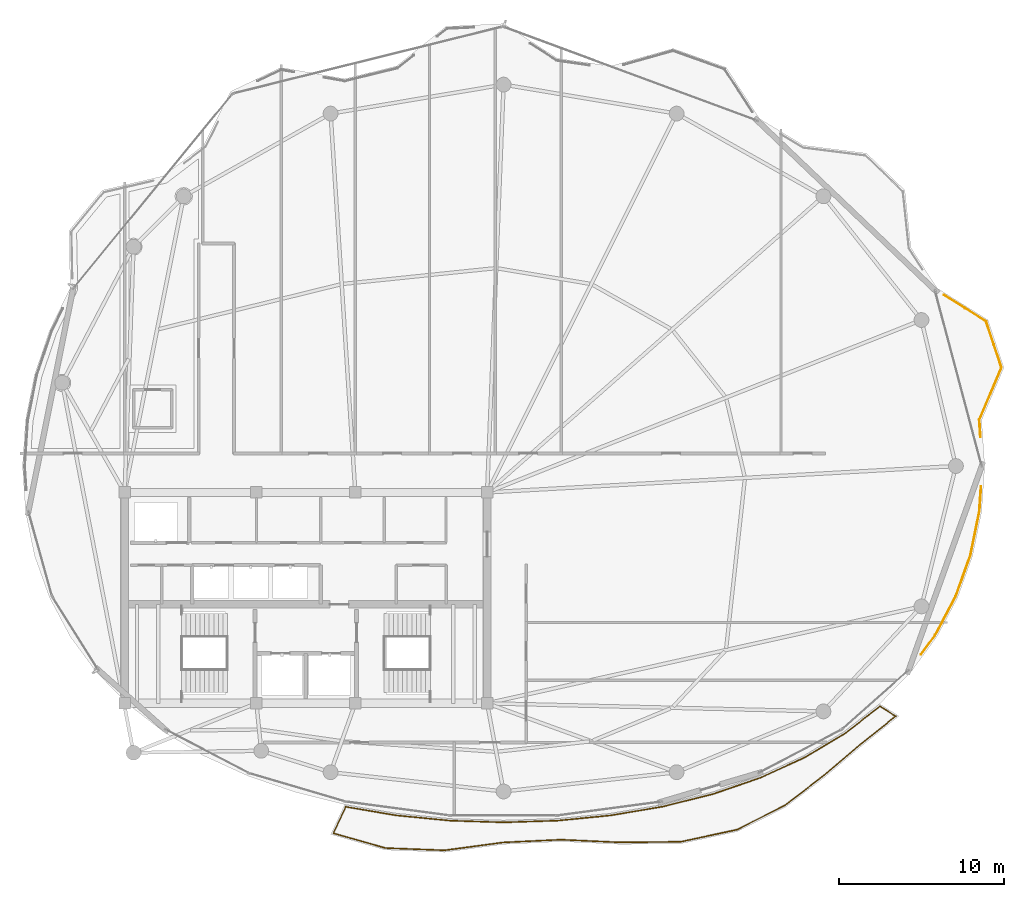
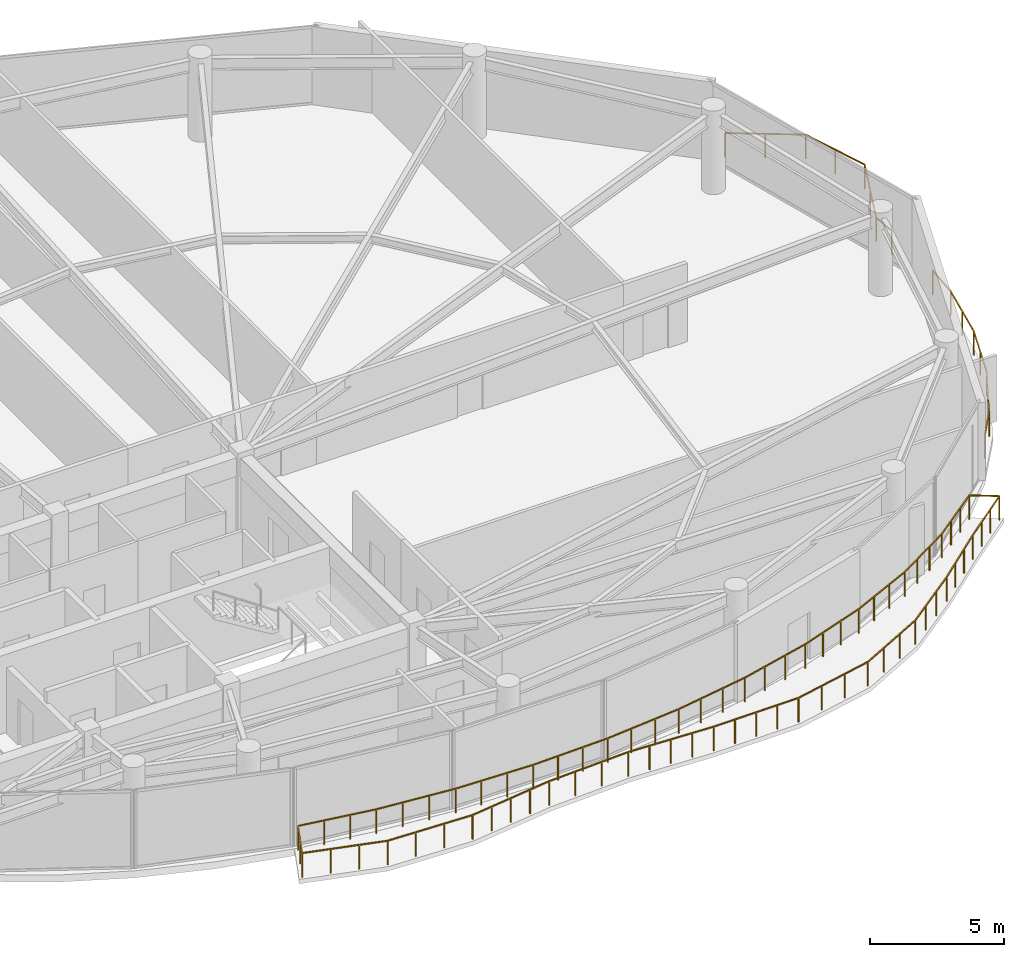
# One storey, part 28 of 29: 3 railings.
"""IFC4 building model written with IfcOpenShell, lengths in metres."""

from ifc_helpers import new_model, si_unit, direction, frame, origin, origin_2d, place, context, subcontext, project, spatial, rectangle, extrude, material, type_object, element, save


model = new_model("IFC4")

# Units and contexts
model_context = context("Model", 3, precision=1e-05, world=origin(), true_north=direction((0.0, 1.0)))
body_context = subcontext(model_context, "Body", "Model", "MODEL_VIEW")
ifc_project = project(units=[si_unit("LENGTHUNIT", "METRE"), si_unit("AREAUNIT", "SQUARE_METRE"), si_unit("VOLUMEUNIT", "CUBIC_METRE"), si_unit("PLANEANGLEUNIT", "RADIAN"), si_unit("MASSUNIT", "GRAM", prefix="KILO")], contexts=[model_context])

# Site, building, storey
site_placement = place(None, origin())
site = spatial("IfcSite", under=ifc_project, at=site_placement, CompositionType="ELEMENT")
building_placement = place(site_placement, origin())
building = spatial("IfcBuilding", under=site, at=building_placement, Name="Kazevale Care Tower and Concert Hall", CompositionType="ELEMENT")
storey_placement = place(building_placement, frame((0.0, 0.0, 281.39990234375)))
storey = spatial("IfcBuildingStorey", under=building, at=storey_placement, Name="L74", CompositionType="ELEMENT", Elevation=281.39990234375)

# Railings
ifc_material = material(Name="Anodised Bronze Aluminium and Laminated Glass", Category="aluminium")
railing_type = type_object("IfcRailingType", Name="Balcony and Terrace Balustrade 1120", PredefinedType="BALUSTRADE", material=ifc_material)
railing_1_placement = place(storey_placement, frame((73.97705078125, 36.751953125, 0.0)))
element("IfcRailing", 1, at=railing_1_placement, inside=storey, type_object=railing_type, Name="rail:L74:perim:10", PredefinedType="BALUSTRADE", context=body_context, shape_type="SweptSolid", body=[
    extrude(rectangle(XDim=0.048095703125, YDim=0.048095703125, at=origin_2d()), frame((0.0, 0.0, 1.09619140625), z_axis=(-0.066454463636, -0.997789458885, 0.0), x_axis=(0.997789458885, -0.066454463636, 0.0)), (0.0, 0.0, 1.0), 1.50634765625),
    extrude(rectangle(XDim=0.048095703125, YDim=0.048095703125, at=origin_2d()), frame((-0.10009765625, -1.5029296875, 1.09619140625), z_axis=(-0.200351117795, -0.979724159954, 0.0), x_axis=(0.979724159954, -0.200351117795, 0.0)), (0.0, 0.0, 1.0), 2.71484375),
    extrude(rectangle(XDim=0.048095703125, YDim=0.048095703125, at=origin_2d()), frame((-0.64404296875, -4.162841796875, 1.09619140625), z_axis=(-0.336533036542, -0.941671660036, 0.0), x_axis=(0.941671660036, -0.336533036542, 0.0)), (0.0, 0.0, 1.0), 2.674072265625),
    extrude(rectangle(XDim=0.048095703125, YDim=0.048095703125, at=origin_2d()), frame((-1.5439453125, -6.680908203125, 1.09619140625), z_axis=(-0.469135033055, -0.883126446643, 0.0), x_axis=(0.883126446643, -0.469135033055, 0.0)), (0.0, 0.0, 1.0), 2.652099609375),
    extrude(rectangle(XDim=0.048095703125, YDim=0.048095703125, at=origin_2d()), frame((-2.7880859375, -9.02294921875, 1.09619140625), z_axis=(-0.592278495921, -0.805733320193, 0.0), x_axis=(0.805733320193, -0.592278495921, 0.0)), (0.0, 0.0, 1.0), 1.45703125),
    extrude(rectangle(XDim=0.0419921875, YDim=0.0419921875, at=origin_2d()), origin(), (0.0, 0.0, 1.0), 1.072021484375),
    extrude(rectangle(XDim=0.0419921875, YDim=0.0419921875, at=origin_2d()), frame((-0.10009765625, -1.5029296875, 0.0)), (0.0, 0.0, 1.0), 1.072021484375),
    extrude(rectangle(XDim=0.0419921875, YDim=0.0419921875, at=origin_2d()), frame((-0.3720703125, -2.8330078125, 0.0)), (0.0, 0.0, 1.0), 1.072021484375),
    extrude(rectangle(XDim=0.0419921875, YDim=0.0419921875, at=origin_2d()), frame((-0.64404296875, -4.162841796875, 0.0)), (0.0, 0.0, 1.0), 1.072021484375),
    extrude(rectangle(XDim=0.0419921875, YDim=0.0419921875, at=origin_2d()), frame((-1.093994140625, -5.421875, 0.0)), (0.0, 0.0, 1.0), 1.072021484375),
    extrude(rectangle(XDim=0.0419921875, YDim=0.0419921875, at=origin_2d()), frame((-1.5439453125, -6.680908203125, 0.0)), (0.0, 0.0, 1.0), 1.072021484375),
    extrude(rectangle(XDim=0.0419921875, YDim=0.0419921875, at=origin_2d()), frame((-2.166015625, -7.85205078125, 0.0)), (0.0, 0.0, 1.0), 1.072021484375),
    extrude(rectangle(XDim=0.0419921875, YDim=0.0419921875, at=origin_2d()), frame((-2.7880859375, -9.02294921875, 0.0)), (0.0, 0.0, 1.0), 1.072021484375),
    extrude(rectangle(XDim=0.0419921875, YDim=0.0419921875, at=origin_2d()), frame((-3.651123046875, -10.197021484375, 0.0)), (0.0, 0.0, 1.0), 1.072021484375),
])
railing_2_placement = place(storey_placement, frame((71.72802734375, 48.3759765625, 0.0)))
element("IfcRailing", 2, at=railing_2_placement, inside=storey, type_object=railing_type, Name="rail:L74:perim:11", PredefinedType="BALUSTRADE", context=body_context, shape_type="SweptSolid", body=[
    extrude(rectangle(XDim=0.048095703125, YDim=0.048095703125, at=origin_2d()), frame((0.0, 0.0, 1.09619140625), z_axis=(0.847693498909, -0.530486316418, 0.0), x_axis=(0.530486316418, 0.847693498909, 0.0)), (0.0, 0.0, 1.0), 3.016357421875),
    extrude(rectangle(XDim=0.048095703125, YDim=0.048095703125, at=origin_2d()), frame((2.556884765625, -1.60009765625, 1.09619140625), z_axis=(0.316973292924, -0.94843446351, 0.0), x_axis=(0.94843446351, 0.316973292924, 0.0)), (0.0, 0.0, 1.0), 2.94677734375),
    extrude(rectangle(XDim=0.048095703125, YDim=0.048095703125, at=origin_2d()), frame((3.490966796875, -4.39501953125, 1.09619140625), z_axis=(-0.390449664496, -0.92062427705, 0.0), x_axis=(0.92062427705, -0.390449664496, 0.0)), (0.0, 0.0, 1.0), 3.442138671875),
    extrude(rectangle(XDim=0.048095703125, YDim=0.048095703125, at=origin_2d()), frame((2.14697265625, -7.56396484375, 1.09619140625), z_axis=(0.064912933057, -0.997890931476, 0.0), x_axis=(0.997890931476, 0.064912933057, 0.0)), (0.0, 0.0, 1.0), 1.04931640625),
    extrude(rectangle(XDim=0.0419921875, YDim=0.0419921875, at=origin_2d()), origin(), (0.0, 0.0, 1.0), 1.072021484375),
    extrude(rectangle(XDim=0.0419921875, YDim=0.0419921875, at=origin_2d()), frame((1.2783203125, -0.800048828125, 0.0)), (0.0, 0.0, 1.0), 1.072021484375),
    extrude(rectangle(XDim=0.0419921875, YDim=0.0419921875, at=origin_2d()), frame((2.556884765625, -1.60009765625, 0.0)), (0.0, 0.0, 1.0), 1.072021484375),
    extrude(rectangle(XDim=0.0419921875, YDim=0.0419921875, at=origin_2d()), frame((3.02392578125, -2.99755859375, 0.0)), (0.0, 0.0, 1.0), 1.072021484375),
    extrude(rectangle(XDim=0.0419921875, YDim=0.0419921875, at=origin_2d()), frame((3.490966796875, -4.39501953125, 0.0)), (0.0, 0.0, 1.0), 1.072021484375),
    extrude(rectangle(XDim=0.0419921875, YDim=0.0419921875, at=origin_2d()), frame((2.81884765625, -5.9794921875, 0.0)), (0.0, 0.0, 1.0), 1.072021484375),
    extrude(rectangle(XDim=0.0419921875, YDim=0.0419921875, at=origin_2d()), frame((2.14697265625, -7.56396484375, 0.0)), (0.0, 0.0, 1.0), 1.072021484375),
    extrude(rectangle(XDim=0.0419921875, YDim=0.0419921875, at=origin_2d()), frame((2.215087890625, -8.611083984375, 0.0)), (0.0, 0.0, 1.0), 1.072021484375),
])
railing_3_placement = place(storey_placement, frame((35.424072265625, 17.319091796875, 0.0)))
element("IfcRailing", 3, at=railing_3_placement, inside=storey, type_object=railing_type, Name="rail:L74:balcony", PredefinedType="BALUSTRADE", context=body_context, shape_type="SweptSolid", body=[
    extrude(rectangle(XDim=0.048095703125, YDim=0.048095703125, at=origin_2d()), frame((0.0, 0.0, 1.09619140625), z_axis=(0.985883626942, -0.167431998516, 0.0), x_axis=(0.167431998516, 0.985883626942, 0.0)), (0.0, 0.0, 1.0), 3.10595703125),
    extrude(rectangle(XDim=0.048095703125, YDim=0.048095703125, at=origin_2d()), frame((3.06201171875, -0.52001953125, 1.09619140625), z_axis=(0.995202326145, -0.097838285119, 0.0), x_axis=(0.097838285119, 0.995202326145, 0.0)), (0.0, 0.0, 1.0), 3.25146484375),
    extrude(rectangle(XDim=0.048095703125, YDim=0.048095703125, at=origin_2d()), frame((6.2978515625, -0.838134765625, 1.09619140625), z_axis=(0.999478023027, -0.032306059581, 0.0), x_axis=(0.032306059581, 0.999478023027, 0.0)), (0.0, 0.0, 1.0), 3.27978515625),
    extrude(rectangle(XDim=0.048095703125, YDim=0.048095703125, at=origin_2d()), frame((9.575927734375, -0.944091796875, 1.09619140625), z_axis=(0.999478023027, 0.032306059581, 0.0), x_axis=(-0.032306059581, 0.999478023027, 0.0)), (0.0, 0.0, 1.0), 3.27978515625),
    extrude(rectangle(XDim=0.048095703125, YDim=0.048095703125, at=origin_2d()), frame((12.85400390625, -0.838134765625, 1.09619140625), z_axis=(0.995202326145, 0.097838285119, 0.0), x_axis=(-0.097838285119, 0.995202326145, 0.0)), (0.0, 0.0, 1.0), 3.25146484375),
    extrude(rectangle(XDim=0.048095703125, YDim=0.048095703125, at=origin_2d()), frame((16.08984375, -0.52001953125, 1.09619140625), z_axis=(0.985888464626, 0.167403510471, 0.0), x_axis=(-0.167403510471, 0.985888464626, 0.0)), (0.0, 0.0, 1.0), 3.201171875),
    extrude(rectangle(XDim=0.048095703125, YDim=0.048095703125, at=origin_2d()), frame((19.245849609375, 0.015869140625, 1.09619140625), z_axis=(0.970197562423, 0.242315269572, 0.0), x_axis=(-0.242315269572, 0.970197562423, 0.0)), (0.0, 0.0, 1.0), 3.12841796875),
    extrude(rectangle(XDim=0.048095703125, YDim=0.048095703125, at=origin_2d()), frame((22.281005859375, 0.77392578125, 1.09619140625), z_axis=(0.945779087346, 0.324810587788, 0.0), x_axis=(-0.324810587788, 0.945779087346, 0.0)), (0.0, 0.0, 1.0), 3.0419921875),
    extrude(rectangle(XDim=0.048095703125, YDim=0.048095703125, at=origin_2d()), frame((25.157958984375, 1.761962890625, 1.09619140625), z_axis=(0.909747168294, 0.415162726869, 0.0), x_axis=(-0.415162726869, 0.909747168294, 0.0)), (0.0, 0.0, 1.0), 2.947998046875),
    extrude(rectangle(XDim=0.048095703125, YDim=0.048095703125, at=origin_2d()), frame((27.83984375, 2.98583984375, 1.09619140625), z_axis=(0.858628906565, 0.512597698796, 0.0), x_axis=(-0.512597698796, 0.858628906565, 0.0)), (0.0, 0.0, 1.0), 2.858154296875),
    extrude(rectangle(XDim=0.048095703125, YDim=0.048095703125, at=origin_2d()), frame((30.2939453125, 4.450927734375, 1.09619140625), z_axis=(0.789596616282, 0.613626257225, 0.0), x_axis=(-0.613626257225, 0.789596616282, 0.0)), (0.0, 0.0, 1.0), 2.688720703125),
    extrude(rectangle(XDim=0.048095703125, YDim=0.048095703125, at=origin_2d()), frame((32.4169921875, 6.100830078125, 1.09619140625), z_axis=(0.845004965077, -0.534758458555, 0.0), x_axis=(0.534758458555, 0.845004965077, 0.0)), (0.0, 0.0, 1.0), 1.127685546875),
    extrude(rectangle(XDim=0.048095703125, YDim=0.048095703125, at=origin_2d()), frame((33.369873046875, 5.497802734375, 1.09619140625), z_axis=(-0.781017200055, -0.624509514114, 0.0), x_axis=(0.624509514114, -0.781017200055, 0.0)), (0.0, 0.0, 1.0), 2.728271484375),
    extrude(rectangle(XDim=0.048095703125, YDim=0.048095703125, at=origin_2d()), frame((31.239013671875, 3.7939453125, 1.09619140625), z_axis=(-0.761833461315, -0.647772936468, 0.0), x_axis=(0.647772936468, -0.761833461315, 0.0)), (0.0, 0.0, 1.0), 2.90234375),
    extrude(rectangle(XDim=0.048095703125, YDim=0.048095703125, at=origin_2d()), frame((29.02783203125, 1.913818359375, 1.09619140625), z_axis=(-0.794364696692, -0.607441131839, 0.0), x_axis=(0.607441131839, -0.794364696692, 0.0)), (0.0, 0.0, 1.0), 3.02880859375),
    extrude(rectangle(XDim=0.048095703125, YDim=0.048095703125, at=origin_2d()), frame((26.621826171875, 0.073974609375, 1.09619140625), z_axis=(-0.892180275983, -0.451679482761, 0.0), x_axis=(0.451679482761, -0.892180275983, 0.0)), (0.0, 0.0, 1.0), 3.232177734375),
    extrude(rectangle(XDim=0.048095703125, YDim=0.048095703125, at=origin_2d()), frame((23.738037109375, -1.385986328125, 1.09619140625), z_axis=(-0.977595283244, -0.210493377993, 0.0), x_axis=(0.210493377993, -0.977595283244, 0.0)), (0.0, 0.0, 1.0), 3.4921875),
    extrude(rectangle(XDim=0.048095703125, YDim=0.048095703125, at=origin_2d()), frame((20.323974609375, -2.12109375, 1.09619140625), z_axis=(-0.999946097, -0.010382826886, 0.0), x_axis=(0.010382826886, -0.999946097, 0.0)), (0.0, 0.0, 1.0), 3.668212890625),
    extrude(rectangle(XDim=0.048095703125, YDim=0.048095703125, at=origin_2d()), frame((16.656005859375, -2.1591796875, 1.09619140625), z_axis=(-0.99894915882, 0.045832064026, 0.0), x_axis=(-0.045832064026, -0.99894915882, 0.0)), (0.0, 0.0, 1.0), 3.600830078125),
    extrude(rectangle(XDim=0.048095703125, YDim=0.048095703125, at=origin_2d()), frame((13.058837890625, -1.994140625, 1.09619140625), z_axis=(-0.998859752981, -0.047740903573, 0.0), x_axis=(0.047740903573, -0.998859752981, 0.0)), (0.0, 0.0, 1.0), 3.497802734375),
    extrude(rectangle(XDim=0.048095703125, YDim=0.048095703125, at=origin_2d()), frame((9.56494140625, -2.1611328125, 1.09619140625), z_axis=(-0.991187676533, -0.132465051577, 0.0), x_axis=(0.132465051577, -0.991187676533, 0.0)), (0.0, 0.0, 1.0), 3.608642578125),
    extrude(rectangle(XDim=0.048095703125, YDim=0.048095703125, at=origin_2d()), frame((5.988037109375, -2.63916015625, 1.09619140625), z_axis=(-0.999278201182, 0.037987848625, 0.0), x_axis=(-0.037987848625, -0.999278201182, 0.0)), (0.0, 0.0, 1.0), 3.579833984375),
    extrude(rectangle(XDim=0.048095703125, YDim=0.048095703125, at=origin_2d()), frame((2.410888671875, -2.503173828125, 1.09619140625), z_axis=(-0.961834197402, 0.273632923289, 0.0), x_axis=(-0.273632923289, -0.961834197402, 0.0)), (0.0, 0.0, 1.0), 3.28955078125),
    extrude(rectangle(XDim=0.048095703125, YDim=0.048095703125, at=origin_2d()), frame((-0.753173828125, -1.60302734375, 1.09619140625), z_axis=(0.42524597546, 0.905077820055, 0.0), x_axis=(-0.905077820055, 0.42524597546, 0.0)), (0.0, 0.0, 1.0), 1.771240234375),
    extrude(rectangle(XDim=0.0419921875, YDim=0.0419921875, at=origin_2d()), origin(), (0.0, 0.0, 1.0), 1.072021484375),
    extrude(rectangle(XDim=0.0419921875, YDim=0.0419921875, at=origin_2d()), frame((1.020751953125, -0.17333984375, 0.0)), (0.0, 0.0, 1.0), 1.072021484375),
    extrude(rectangle(XDim=0.0419921875, YDim=0.0419921875, at=origin_2d()), frame((2.041259765625, -0.3466796875, 0.0)), (0.0, 0.0, 1.0), 1.072021484375),
    extrude(rectangle(XDim=0.0419921875, YDim=0.0419921875, at=origin_2d()), frame((3.06201171875, -0.52001953125, 0.0)), (0.0, 0.0, 1.0), 1.072021484375),
    extrude(rectangle(XDim=0.0419921875, YDim=0.0419921875, at=origin_2d()), frame((4.140625, -0.6259765625, 0.0)), (0.0, 0.0, 1.0), 1.072021484375),
    extrude(rectangle(XDim=0.0419921875, YDim=0.0419921875, at=origin_2d()), frame((5.21923828125, -0.732177734375, 0.0)), (0.0, 0.0, 1.0), 1.072021484375),
    extrude(rectangle(XDim=0.0419921875, YDim=0.0419921875, at=origin_2d()), frame((6.2978515625, -0.838134765625, 0.0)), (0.0, 0.0, 1.0), 1.072021484375),
    extrude(rectangle(XDim=0.0419921875, YDim=0.0419921875, at=origin_2d()), frame((7.390625, -0.87353515625, 0.0)), (0.0, 0.0, 1.0), 1.072021484375),
    extrude(rectangle(XDim=0.0419921875, YDim=0.0419921875, at=origin_2d()), frame((8.483154296875, -0.90869140625, 0.0)), (0.0, 0.0, 1.0), 1.072021484375),
    extrude(rectangle(XDim=0.0419921875, YDim=0.0419921875, at=origin_2d()), frame((9.575927734375, -0.944091796875, 0.0)), (0.0, 0.0, 1.0), 1.072021484375),
    extrude(rectangle(XDim=0.0419921875, YDim=0.0419921875, at=origin_2d()), frame((10.668701171875, -0.90869140625, 0.0)), (0.0, 0.0, 1.0), 1.072021484375),
    extrude(rectangle(XDim=0.0419921875, YDim=0.0419921875, at=origin_2d()), frame((11.76123046875, -0.87353515625, 0.0)), (0.0, 0.0, 1.0), 1.072021484375),
    extrude(rectangle(XDim=0.0419921875, YDim=0.0419921875, at=origin_2d()), frame((12.85400390625, -0.838134765625, 0.0)), (0.0, 0.0, 1.0), 1.072021484375),
    extrude(rectangle(XDim=0.0419921875, YDim=0.0419921875, at=origin_2d()), frame((13.9326171875, -0.732177734375, 0.0)), (0.0, 0.0, 1.0), 1.072021484375),
    extrude(rectangle(XDim=0.0419921875, YDim=0.0419921875, at=origin_2d()), frame((15.01123046875, -0.6259765625, 0.0)), (0.0, 0.0, 1.0), 1.072021484375),
    extrude(rectangle(XDim=0.0419921875, YDim=0.0419921875, at=origin_2d()), frame((16.08984375, -0.52001953125, 0.0)), (0.0, 0.0, 1.0), 1.072021484375),
    extrude(rectangle(XDim=0.0419921875, YDim=0.0419921875, at=origin_2d()), frame((17.141845703125, -0.34130859375, 0.0)), (0.0, 0.0, 1.0), 1.072021484375),
    extrude(rectangle(XDim=0.0419921875, YDim=0.0419921875, at=origin_2d()), frame((18.19384765625, -0.162841796875, 0.0)), (0.0, 0.0, 1.0), 1.072021484375),
    extrude(rectangle(XDim=0.0419921875, YDim=0.0419921875, at=origin_2d()), frame((19.245849609375, 0.015869140625, 0.0)), (0.0, 0.0, 1.0), 1.072021484375),
    extrude(rectangle(XDim=0.0419921875, YDim=0.0419921875, at=origin_2d()), frame((20.257568359375, 0.2685546875, 0.0)), (0.0, 0.0, 1.0), 1.072021484375),
    extrude(rectangle(XDim=0.0419921875, YDim=0.0419921875, at=origin_2d()), frame((21.269287109375, 0.521240234375, 0.0)), (0.0, 0.0, 1.0), 1.072021484375),
    extrude(rectangle(XDim=0.0419921875, YDim=0.0419921875, at=origin_2d()), frame((22.281005859375, 0.77392578125, 0.0)), (0.0, 0.0, 1.0), 1.072021484375),
    extrude(rectangle(XDim=0.0419921875, YDim=0.0419921875, at=origin_2d()), frame((23.239990234375, 1.103271484375, 0.0)), (0.0, 0.0, 1.0), 1.072021484375),
    extrude(rectangle(XDim=0.0419921875, YDim=0.0419921875, at=origin_2d()), frame((24.198974609375, 1.4326171875, 0.0)), (0.0, 0.0, 1.0), 1.072021484375),
    extrude(rectangle(XDim=0.0419921875, YDim=0.0419921875, at=origin_2d()), frame((25.157958984375, 1.761962890625, 0.0)), (0.0, 0.0, 1.0), 1.072021484375),
    extrude(rectangle(XDim=0.0419921875, YDim=0.0419921875, at=origin_2d()), frame((26.052001953125, 2.169921875, 0.0)), (0.0, 0.0, 1.0), 1.072021484375),
    extrude(rectangle(XDim=0.0419921875, YDim=0.0419921875, at=origin_2d()), frame((26.94580078125, 2.577880859375, 0.0)), (0.0, 0.0, 1.0), 1.072021484375),
    extrude(rectangle(XDim=0.0419921875, YDim=0.0419921875, at=origin_2d()), frame((27.83984375, 2.98583984375, 0.0)), (0.0, 0.0, 1.0), 1.072021484375),
    extrude(rectangle(XDim=0.0419921875, YDim=0.0419921875, at=origin_2d()), frame((28.657958984375, 3.47412109375, 0.0)), (0.0, 0.0, 1.0), 1.072021484375),
    extrude(rectangle(XDim=0.0419921875, YDim=0.0419921875, at=origin_2d()), frame((29.475830078125, 3.962646484375, 0.0)), (0.0, 0.0, 1.0), 1.072021484375),
    extrude(rectangle(XDim=0.0419921875, YDim=0.0419921875, at=origin_2d()), frame((30.2939453125, 4.450927734375, 0.0)), (0.0, 0.0, 1.0), 1.072021484375),
    extrude(rectangle(XDim=0.0419921875, YDim=0.0419921875, at=origin_2d()), frame((31.001708984375, 5.0009765625, 0.0)), (0.0, 0.0, 1.0), 1.072021484375),
    extrude(rectangle(XDim=0.0419921875, YDim=0.0419921875, at=origin_2d()), frame((31.709228515625, 5.55078125, 0.0)), (0.0, 0.0, 1.0), 1.072021484375),
    extrude(rectangle(XDim=0.0419921875, YDim=0.0419921875, at=origin_2d()), frame((32.4169921875, 6.100830078125, 0.0)), (0.0, 0.0, 1.0), 1.072021484375),
    extrude(rectangle(XDim=0.0419921875, YDim=0.0419921875, at=origin_2d()), frame((33.369873046875, 5.497802734375, 0.0)), (0.0, 0.0, 1.0), 1.072021484375),
    extrude(rectangle(XDim=0.0419921875, YDim=0.0419921875, at=origin_2d()), frame((32.65966796875, 4.929931640625, 0.0)), (0.0, 0.0, 1.0), 1.072021484375),
    extrude(rectangle(XDim=0.0419921875, YDim=0.0419921875, at=origin_2d()), frame((31.94921875, 4.36181640625, 0.0)), (0.0, 0.0, 1.0), 1.072021484375),
    extrude(rectangle(XDim=0.0419921875, YDim=0.0419921875, at=origin_2d()), frame((31.239013671875, 3.7939453125, 0.0)), (0.0, 0.0, 1.0), 1.072021484375),
    extrude(rectangle(XDim=0.0419921875, YDim=0.0419921875, at=origin_2d()), frame((30.501953125, 3.167236328125, 0.0)), (0.0, 0.0, 1.0), 1.072021484375),
    extrude(rectangle(XDim=0.0419921875, YDim=0.0419921875, at=origin_2d()), frame((29.764892578125, 2.54052734375, 0.0)), (0.0, 0.0, 1.0), 1.072021484375),
    extrude(rectangle(XDim=0.0419921875, YDim=0.0419921875, at=origin_2d()), frame((29.02783203125, 1.913818359375, 0.0)), (0.0, 0.0, 1.0), 1.072021484375),
    extrude(rectangle(XDim=0.0419921875, YDim=0.0419921875, at=origin_2d()), frame((28.225830078125, 1.300537109375, 0.0)), (0.0, 0.0, 1.0), 1.072021484375),
    extrude(rectangle(XDim=0.0419921875, YDim=0.0419921875, at=origin_2d()), frame((27.423828125, 0.687255859375, 0.0)), (0.0, 0.0, 1.0), 1.072021484375),
    extrude(rectangle(XDim=0.0419921875, YDim=0.0419921875, at=origin_2d()), frame((26.621826171875, 0.073974609375, 0.0)), (0.0, 0.0, 1.0), 1.072021484375),
    extrude(rectangle(XDim=0.0419921875, YDim=0.0419921875, at=origin_2d()), frame((25.66064453125, -0.41259765625, 0.0)), (0.0, 0.0, 1.0), 1.072021484375),
    extrude(rectangle(XDim=0.0419921875, YDim=0.0419921875, at=origin_2d()), frame((24.69921875, -0.8994140625, 0.0)), (0.0, 0.0, 1.0), 1.072021484375),
    extrude(rectangle(XDim=0.0419921875, YDim=0.0419921875, at=origin_2d()), frame((23.738037109375, -1.385986328125, 0.0)), (0.0, 0.0, 1.0), 1.072021484375),
    extrude(rectangle(XDim=0.0419921875, YDim=0.0419921875, at=origin_2d()), frame((22.60009765625, -1.631103515625, 0.0)), (0.0, 0.0, 1.0), 1.072021484375),
    extrude(rectangle(XDim=0.0419921875, YDim=0.0419921875, at=origin_2d()), frame((21.4619140625, -1.8759765625, 0.0)), (0.0, 0.0, 1.0), 1.072021484375),
    extrude(rectangle(XDim=0.0419921875, YDim=0.0419921875, at=origin_2d()), frame((20.323974609375, -2.12109375, 0.0)), (0.0, 0.0, 1.0), 1.072021484375),
    extrude(rectangle(XDim=0.0419921875, YDim=0.0419921875, at=origin_2d()), frame((19.406982421875, -2.130615234375, 0.0)), (0.0, 0.0, 1.0), 1.072021484375),
    extrude(rectangle(XDim=0.0419921875, YDim=0.0419921875, at=origin_2d()), frame((18.489990234375, -2.14013671875, 0.0)), (0.0, 0.0, 1.0), 1.072021484375),
    extrude(rectangle(XDim=0.0419921875, YDim=0.0419921875, at=origin_2d()), frame((17.572998046875, -2.149658203125, 0.0)), (0.0, 0.0, 1.0), 1.072021484375),
    extrude(rectangle(XDim=0.0419921875, YDim=0.0419921875, at=origin_2d()), frame((16.656005859375, -2.1591796875, 0.0)), (0.0, 0.0, 1.0), 1.072021484375),
    extrude(rectangle(XDim=0.0419921875, YDim=0.0419921875, at=origin_2d()), frame((15.7568359375, -2.117919921875, 0.0)), (0.0, 0.0, 1.0), 1.072021484375),
    extrude(rectangle(XDim=0.0419921875, YDim=0.0419921875, at=origin_2d()), frame((14.857421875, -2.07666015625, 0.0)), (0.0, 0.0, 1.0), 1.072021484375),
    extrude(rectangle(XDim=0.0419921875, YDim=0.0419921875, at=origin_2d()), frame((13.9580078125, -2.035400390625, 0.0)), (0.0, 0.0, 1.0), 1.072021484375),
    extrude(rectangle(XDim=0.0419921875, YDim=0.0419921875, at=origin_2d()), frame((13.058837890625, -1.994140625, 0.0)), (0.0, 0.0, 1.0), 1.072021484375),
    extrude(rectangle(XDim=0.0419921875, YDim=0.0419921875, at=origin_2d()), frame((11.894287109375, -2.0498046875, 0.0)), (0.0, 0.0, 1.0), 1.072021484375),
    extrude(rectangle(XDim=0.0419921875, YDim=0.0419921875, at=origin_2d()), frame((10.7294921875, -2.10546875, 0.0)), (0.0, 0.0, 1.0), 1.072021484375),
    extrude(rectangle(XDim=0.0419921875, YDim=0.0419921875, at=origin_2d()), frame((9.56494140625, -2.1611328125, 0.0)), (0.0, 0.0, 1.0), 1.072021484375),
    extrude(rectangle(XDim=0.0419921875, YDim=0.0419921875, at=origin_2d()), frame((8.670654296875, -2.28076171875, 0.0)), (0.0, 0.0, 1.0), 1.072021484375),
    extrude(rectangle(XDim=0.0419921875, YDim=0.0419921875, at=origin_2d()), frame((7.7763671875, -2.400146484375, 0.0)), (0.0, 0.0, 1.0), 1.072021484375),
    extrude(rectangle(XDim=0.0419921875, YDim=0.0419921875, at=origin_2d()), frame((6.88232421875, -2.51953125, 0.0)), (0.0, 0.0, 1.0), 1.072021484375),
    extrude(rectangle(XDim=0.0419921875, YDim=0.0419921875, at=origin_2d()), frame((5.988037109375, -2.63916015625, 0.0)), (0.0, 0.0, 1.0), 1.072021484375),
    extrude(rectangle(XDim=0.0419921875, YDim=0.0419921875, at=origin_2d()), frame((4.795654296875, -2.59375, 0.0)), (0.0, 0.0, 1.0), 1.072021484375),
    extrude(rectangle(XDim=0.0419921875, YDim=0.0419921875, at=origin_2d()), frame((3.603271484375, -2.548583984375, 0.0)), (0.0, 0.0, 1.0), 1.072021484375),
    extrude(rectangle(XDim=0.0419921875, YDim=0.0419921875, at=origin_2d()), frame((2.410888671875, -2.503173828125, 0.0)), (0.0, 0.0, 1.0), 1.072021484375),
    extrude(rectangle(XDim=0.0419921875, YDim=0.0419921875, at=origin_2d()), frame((1.356201171875, -2.203125, 0.0)), (0.0, 0.0, 1.0), 1.072021484375),
    extrude(rectangle(XDim=0.0419921875, YDim=0.0419921875, at=origin_2d()), frame((0.301513671875, -1.903076171875, 0.0)), (0.0, 0.0, 1.0), 1.072021484375),
    extrude(rectangle(XDim=0.0419921875, YDim=0.0419921875, at=origin_2d()), frame((-0.753173828125, -1.60302734375, 0.0)), (0.0, 0.0, 1.0), 1.072021484375),
    extrude(rectangle(XDim=0.0419921875, YDim=0.0419921875, at=origin_2d()), frame((-0.37646484375, -0.801513671875, 0.0)), (0.0, 0.0, 1.0), 1.072021484375),
])

save(model, "model.ifc")
